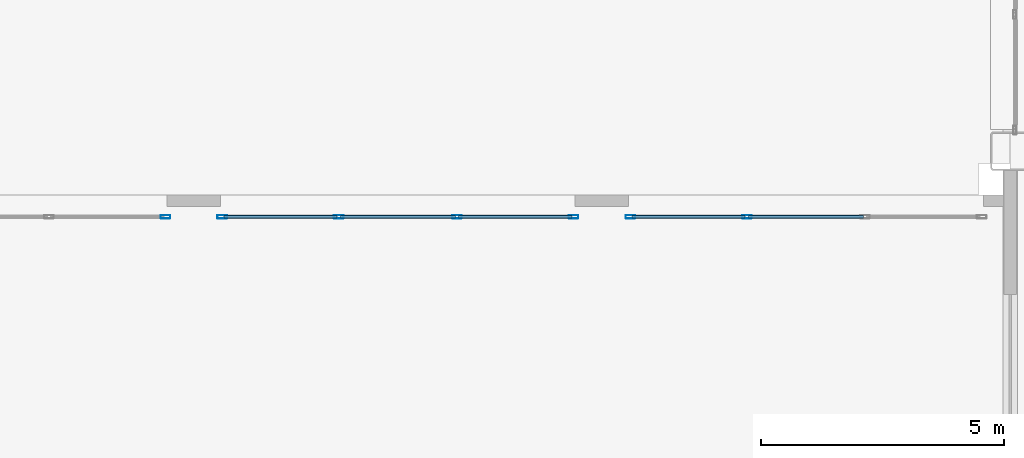
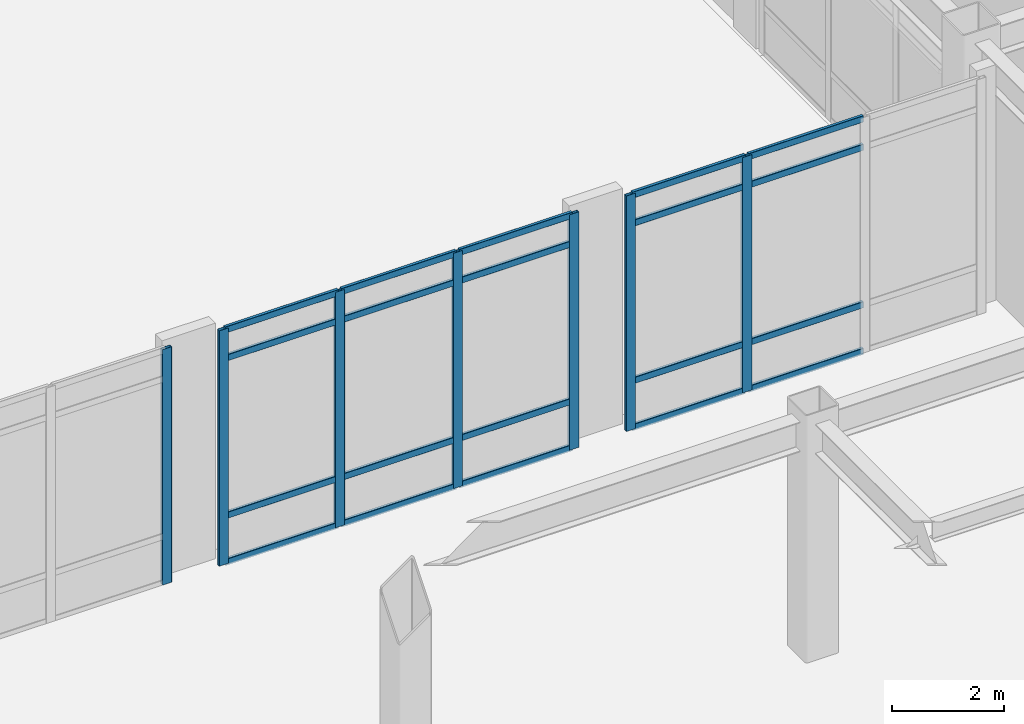
# One storey, part 93 of 165: 27 members, 3 elements without a shape of their own.
"""IFC4 building model written with IfcOpenShell, lengths in metres."""

from ifc_helpers import new_model, si_unit, direction, frame, origin, origin_2d, place, context, subcontext, project, spatial, hollow_rectangle, extrude, material, layer, layer_set, material_profile, profile_set, type_object, element, aggregate, save


model = new_model("IFC4")

# Units and contexts
model_context = context("Model", 3, precision=1e-05, world=origin(), true_north=direction((0.0, 1.0)))
body_context = subcontext(model_context, "Body", "Model", "MODEL_VIEW")
ifc_project = project(units=[si_unit("LENGTHUNIT", "METRE"), si_unit("AREAUNIT", "SQUARE_METRE"), si_unit("VOLUMEUNIT", "CUBIC_METRE"), si_unit("PLANEANGLEUNIT", "RADIAN"), si_unit("MASSUNIT", "GRAM", prefix="KILO")], contexts=[model_context])

# Site, building, storey
site_placement = place(None, origin())
site = spatial("IfcSite", under=ifc_project, at=site_placement, CompositionType="ELEMENT")
building_placement = place(site_placement, origin())
building = spatial("IfcBuilding", under=site, at=building_placement, Name="Kazehara Bluff Congress Hotel", CompositionType="ELEMENT")
storey_placement = place(building_placement, origin())
storey = spatial("IfcBuildingStorey", under=building, at=storey_placement, Name="L00", CompositionType="ELEMENT", Elevation=0.0)

# Curtain wall, member
ifc_material_1 = material(Name="Anodised aluminium", Category="aluminium")
ifc_layer = layer(ifc_material_1, 0.159912109375)
ifc_layer_set = layer_set([ifc_layer], Name="Anodised aluminium")
curtain_wall_type = type_object("IfcCurtainWallType", Name="TP-CW-46", PredefinedType="NOTDEFINED", material=ifc_layer_set)
curtain_wall_1_placement = place(storey_placement, origin())
curtain_wall_1 = element("IfcCurtainWall", 1, at=curtain_wall_1_placement, inside=storey, type_object=curtain_wall_type, Name="L00 curtain wall CW-46 CW-V5-L00-Y3955-11905", PredefinedType="NOTDEFINED")
ifc_material_2 = material(Name="Anodised aluminium", Category="aluminium")
ifc_material_profile_1 = material_profile(ifc_material_2, hollow_rectangle(XDim=0.070068359375, YDim=0.199951171875, WallThickness=0.0048828125, InnerFilletRadius=0.0048828125, OuterFilletRadius=0.010009765625, at=origin_2d()))
ifc_profile_set_1 = profile_set([ifc_material_profile_1], Name="Anodised aluminium")
member_type_1 = type_object("IfcMemberType", Name="TP-CWM-03", PredefinedType="MULLION", material=ifc_profile_set_1)
member_1_placement = place(storey_placement, frame((126.31494140625, 39.550048828125, 0.0), z_axis=(0.0, 0.0, 1.0), x_axis=(0.0, 1.0, 0.0)))
member_1 = element("IfcMember", 2, at=member_1_placement, type_object=member_type_1, Name="CW-46 mullion 4", PredefinedType="MULLION", context=body_context, shape_type="SweptSolid", body=[
    extrude(hollow_rectangle(XDim=0.070068359375, YDim=0.199951171875, WallThickness=0.0048828125, InnerFilletRadius=0.0048828125, OuterFilletRadius=0.010009765625, at=origin_2d()), origin(), (0.0, 0.0, 1.0), 5.135009765625),
])
aggregate(curtain_wall_1, [member_1])

# Curtain wall, members
curtain_wall_2_placement = place(storey_placement, origin())
curtain_wall_2 = element("IfcCurtainWall", 3, at=curtain_wall_2_placement, inside=storey, type_object=curtain_wall_type, Name="L00 curtain wall CW-46 CW-V5-L00-Y3955-12745", PredefinedType="NOTDEFINED")
member_2_placement = place(storey_placement, frame((127.485107421875, 39.550048828125, 0.0), z_axis=(0.0, 0.0, 1.0), x_axis=(0.0, 1.0, 0.0)))
member_2 = element("IfcMember", 4, at=member_2_placement, type_object=member_type_1, Name="CW-46 mullion 1", PredefinedType="MULLION", context=body_context, shape_type="SweptSolid", body=[
    extrude(hollow_rectangle(XDim=0.070068359375, YDim=0.199951171875, WallThickness=0.0048828125, InnerFilletRadius=0.0048828125, OuterFilletRadius=0.010009765625, at=origin_2d()), origin(), (0.0, 0.0, 1.0), 5.135009765625),
])
member_3_placement = place(storey_placement, frame((129.88330078125, 39.550048828125, 0.0), z_axis=(0.0, 0.0, 1.0), x_axis=(0.0, 1.0, 0.0)))
member_3 = element("IfcMember", 5, at=member_3_placement, type_object=member_type_1, Name="CW-46 mullion 2", PredefinedType="MULLION", context=body_context, shape_type="SweptSolid", body=[
    extrude(hollow_rectangle(XDim=0.070068359375, YDim=0.199951171875, WallThickness=0.0048828125, InnerFilletRadius=0.0048828125, OuterFilletRadius=0.010009765625, at=origin_2d()), origin(), (0.0, 0.0, 1.0), 5.135009765625),
])
member_4_placement = place(storey_placement, frame((132.316650390625, 39.550048828125, 0.0), z_axis=(0.0, 0.0, 1.0), x_axis=(0.0, 1.0, 0.0)))
member_4 = element("IfcMember", 6, at=member_4_placement, type_object=member_type_1, Name="CW-46 mullion 3", PredefinedType="MULLION", context=body_context, shape_type="SweptSolid", body=[
    extrude(hollow_rectangle(XDim=0.070068359375, YDim=0.199951171875, WallThickness=0.0048828125, InnerFilletRadius=0.0048828125, OuterFilletRadius=0.010009765625, at=origin_2d()), origin(), (0.0, 0.0, 1.0), 5.135009765625),
])
member_5_placement = place(storey_placement, frame((134.715087890625, 39.550048828125, 0.0), z_axis=(0.0, 0.0, 1.0), x_axis=(0.0, 1.0, 0.0)))
member_5 = element("IfcMember", 7, at=member_5_placement, type_object=member_type_1, Name="CW-46 mullion 4", PredefinedType="MULLION", context=body_context, shape_type="SweptSolid", body=[
    extrude(hollow_rectangle(XDim=0.070068359375, YDim=0.199951171875, WallThickness=0.0048828125, InnerFilletRadius=0.0048828125, OuterFilletRadius=0.010009765625, at=origin_2d()), origin(), (0.0, 0.0, 1.0), 5.135009765625),
])

curtain_wall_3_placement = place(storey_placement, origin())
curtain_wall_3 = element("IfcCurtainWall", 8, at=curtain_wall_3_placement, inside=storey, type_object=curtain_wall_type, Name="L00 curtain wall CW-46 CW-V5-L00-Y3955-13585", PredefinedType="NOTDEFINED")
member_6_placement = place(storey_placement, frame((135.885009765625, 39.550048828125, 0.0), z_axis=(0.0, 0.0, 1.0), x_axis=(0.0, 1.0, 0.0)))
member_6 = element("IfcMember", 9, at=member_6_placement, type_object=member_type_1, Name="CW-46 mullion 1", PredefinedType="MULLION", context=body_context, shape_type="SweptSolid", body=[
    extrude(hollow_rectangle(XDim=0.070068359375, YDim=0.199951171875, WallThickness=0.0048828125, InnerFilletRadius=0.0048828125, OuterFilletRadius=0.010009765625, at=origin_2d()), origin(), (0.0, 0.0, 1.0), 5.135009765625),
])
member_7_placement = place(storey_placement, frame((138.283447265625, 39.550048828125, 0.0), z_axis=(0.0, 0.0, 1.0), x_axis=(0.0, 1.0, 0.0)))
member_7 = element("IfcMember", 10, at=member_7_placement, type_object=member_type_1, Name="CW-46 mullion 2", PredefinedType="MULLION", context=body_context, shape_type="SweptSolid", body=[
    extrude(hollow_rectangle(XDim=0.070068359375, YDim=0.199951171875, WallThickness=0.0048828125, InnerFilletRadius=0.0048828125, OuterFilletRadius=0.010009765625, at=origin_2d()), origin(), (0.0, 0.0, 1.0), 5.135009765625),
])

# Member
ifc_material_3 = material(Name="Anodised aluminium", Category="aluminium")
ifc_material_profile_2 = material_profile(ifc_material_3, hollow_rectangle(XDim=0.06494140625, YDim=0.139892578125, WallThickness=0.00390625, InnerFilletRadius=0.00390625, OuterFilletRadius=0.008056640625, at=origin_2d()))
ifc_profile_set_2 = profile_set([ifc_material_profile_2], Name="Anodised aluminium")
member_type_2 = type_object("IfcMemberType", Name="TP-CWT-02", PredefinedType="USERDEFINED", material=ifc_profile_set_2)
member_8_placement = place(storey_placement, frame((127.52001953125, 39.550048828125, 0.032470703125), z_axis=(1.0, 0.0, 0.0), x_axis=(0.0, 1.0, 0.0)))
member_8 = element("IfcMember", 11, at=member_8_placement, type_object=member_type_2, Name="CW-46 transom 1.1", ObjectType="TRANSOM", PredefinedType="USERDEFINED", context=body_context, shape_type="SweptSolid", body=[
    extrude(hollow_rectangle(XDim=0.06494140625, YDim=0.139892578125, WallThickness=0.00390625, InnerFilletRadius=0.00390625, OuterFilletRadius=0.008056640625, at=origin_2d()), origin(), (0.0, 0.0, 1.0), 2.328369140625),
])

member_9_placement = place(storey_placement, frame((127.52001953125, 39.550048828125, 1.050048828125), z_axis=(1.0, 0.0, 0.0), x_axis=(0.0, 1.0, 0.0)))
member_9 = element("IfcMember", 12, at=member_9_placement, type_object=member_type_2, Name="CW-46 transom 1.2", ObjectType="TRANSOM", PredefinedType="USERDEFINED", context=body_context, shape_type="SweptSolid", body=[
    extrude(hollow_rectangle(XDim=0.06494140625, YDim=0.139892578125, WallThickness=0.00390625, InnerFilletRadius=0.00390625, OuterFilletRadius=0.008056640625, at=origin_2d()), origin(), (0.0, 0.0, 1.0), 2.328369140625),
])

member_10_placement = place(storey_placement, frame((127.52001953125, 39.550048828125, 4.485107421875), z_axis=(1.0, 0.0, 0.0), x_axis=(0.0, 1.0, 0.0)))
member_10 = element("IfcMember", 13, at=member_10_placement, type_object=member_type_2, Name="CW-46 transom 1.3", ObjectType="TRANSOM", PredefinedType="USERDEFINED", context=body_context, shape_type="SweptSolid", body=[
    extrude(hollow_rectangle(XDim=0.06494140625, YDim=0.139892578125, WallThickness=0.00390625, InnerFilletRadius=0.00390625, OuterFilletRadius=0.008056640625, at=origin_2d()), origin(), (0.0, 0.0, 1.0), 2.328369140625),
])

member_11_placement = place(storey_placement, frame((127.52001953125, 39.550048828125, 5.1025390625), z_axis=(1.0, 0.0, 0.0), x_axis=(0.0, 1.0, 0.0)))
member_11 = element("IfcMember", 14, at=member_11_placement, type_object=member_type_2, Name="CW-46 transom 1.4", ObjectType="TRANSOM", PredefinedType="USERDEFINED", context=body_context, shape_type="SweptSolid", body=[
    extrude(hollow_rectangle(XDim=0.06494140625, YDim=0.139892578125, WallThickness=0.00390625, InnerFilletRadius=0.00390625, OuterFilletRadius=0.008056640625, at=origin_2d()), origin(), (0.0, 0.0, 1.0), 2.328369140625),
])

member_12_placement = place(storey_placement, frame((129.918212890625, 39.550048828125, 0.032470703125), z_axis=(1.0, 0.0, 0.0), x_axis=(0.0, 1.0, 0.0)))
member_12 = element("IfcMember", 15, at=member_12_placement, type_object=member_type_2, Name="CW-46 transom 2.1", ObjectType="TRANSOM", PredefinedType="USERDEFINED", context=body_context, shape_type="SweptSolid", body=[
    extrude(hollow_rectangle(XDim=0.06494140625, YDim=0.139892578125, WallThickness=0.00390625, InnerFilletRadius=0.00390625, OuterFilletRadius=0.008056640625, at=origin_2d()), origin(), (0.0, 0.0, 1.0), 2.363525390625),
])

member_13_placement = place(storey_placement, frame((129.918212890625, 39.550048828125, 1.050048828125), z_axis=(1.0, 0.0, 0.0), x_axis=(0.0, 1.0, 0.0)))
member_13 = element("IfcMember", 16, at=member_13_placement, type_object=member_type_2, Name="CW-46 transom 2.2", ObjectType="TRANSOM", PredefinedType="USERDEFINED", context=body_context, shape_type="SweptSolid", body=[
    extrude(hollow_rectangle(XDim=0.06494140625, YDim=0.139892578125, WallThickness=0.00390625, InnerFilletRadius=0.00390625, OuterFilletRadius=0.008056640625, at=origin_2d()), origin(), (0.0, 0.0, 1.0), 2.363525390625),
])

member_14_placement = place(storey_placement, frame((129.918212890625, 39.550048828125, 4.485107421875), z_axis=(1.0, 0.0, 0.0), x_axis=(0.0, 1.0, 0.0)))
member_14 = element("IfcMember", 17, at=member_14_placement, type_object=member_type_2, Name="CW-46 transom 2.3", ObjectType="TRANSOM", PredefinedType="USERDEFINED", context=body_context, shape_type="SweptSolid", body=[
    extrude(hollow_rectangle(XDim=0.06494140625, YDim=0.139892578125, WallThickness=0.00390625, InnerFilletRadius=0.00390625, OuterFilletRadius=0.008056640625, at=origin_2d()), origin(), (0.0, 0.0, 1.0), 2.363525390625),
])

member_15_placement = place(storey_placement, frame((129.918212890625, 39.550048828125, 5.1025390625), z_axis=(1.0, 0.0, 0.0), x_axis=(0.0, 1.0, 0.0)))
member_15 = element("IfcMember", 18, at=member_15_placement, type_object=member_type_2, Name="CW-46 transom 2.4", ObjectType="TRANSOM", PredefinedType="USERDEFINED", context=body_context, shape_type="SweptSolid", body=[
    extrude(hollow_rectangle(XDim=0.06494140625, YDim=0.139892578125, WallThickness=0.00390625, InnerFilletRadius=0.00390625, OuterFilletRadius=0.008056640625, at=origin_2d()), origin(), (0.0, 0.0, 1.0), 2.363525390625),
])

member_16_placement = place(storey_placement, frame((132.3515625, 39.550048828125, 0.032470703125), z_axis=(1.0, 0.0, 0.0), x_axis=(0.0, 1.0, 0.0)))
member_16 = element("IfcMember", 19, at=member_16_placement, type_object=member_type_2, Name="CW-46 transom 3.1", ObjectType="TRANSOM", PredefinedType="USERDEFINED", context=body_context, shape_type="SweptSolid", body=[
    extrude(hollow_rectangle(XDim=0.06494140625, YDim=0.139892578125, WallThickness=0.00390625, InnerFilletRadius=0.00390625, OuterFilletRadius=0.008056640625, at=origin_2d()), origin(), (0.0, 0.0, 1.0), 2.328369140625),
])

member_17_placement = place(storey_placement, frame((132.3515625, 39.550048828125, 1.050048828125), z_axis=(1.0, 0.0, 0.0), x_axis=(0.0, 1.0, 0.0)))
member_17 = element("IfcMember", 20, at=member_17_placement, type_object=member_type_2, Name="CW-46 transom 3.2", ObjectType="TRANSOM", PredefinedType="USERDEFINED", context=body_context, shape_type="SweptSolid", body=[
    extrude(hollow_rectangle(XDim=0.06494140625, YDim=0.139892578125, WallThickness=0.00390625, InnerFilletRadius=0.00390625, OuterFilletRadius=0.008056640625, at=origin_2d()), origin(), (0.0, 0.0, 1.0), 2.328369140625),
])

member_18_placement = place(storey_placement, frame((132.3515625, 39.550048828125, 4.485107421875), z_axis=(1.0, 0.0, 0.0), x_axis=(0.0, 1.0, 0.0)))
member_18 = element("IfcMember", 21, at=member_18_placement, type_object=member_type_2, Name="CW-46 transom 3.3", ObjectType="TRANSOM", PredefinedType="USERDEFINED", context=body_context, shape_type="SweptSolid", body=[
    extrude(hollow_rectangle(XDim=0.06494140625, YDim=0.139892578125, WallThickness=0.00390625, InnerFilletRadius=0.00390625, OuterFilletRadius=0.008056640625, at=origin_2d()), origin(), (0.0, 0.0, 1.0), 2.328369140625),
])

member_19_placement = place(storey_placement, frame((132.3515625, 39.550048828125, 5.1025390625), z_axis=(1.0, 0.0, 0.0), x_axis=(0.0, 1.0, 0.0)))
member_19 = element("IfcMember", 22, at=member_19_placement, type_object=member_type_2, Name="CW-46 transom 3.4", ObjectType="TRANSOM", PredefinedType="USERDEFINED", context=body_context, shape_type="SweptSolid", body=[
    extrude(hollow_rectangle(XDim=0.06494140625, YDim=0.139892578125, WallThickness=0.00390625, InnerFilletRadius=0.00390625, OuterFilletRadius=0.008056640625, at=origin_2d()), origin(), (0.0, 0.0, 1.0), 2.328369140625),
])

aggregate(curtain_wall_2, [member_2, member_3, member_4, member_5, member_8, member_9, member_10, member_11, member_12, member_13, member_14, member_15, member_16, member_17, member_18, member_19])

member_20_placement = place(storey_placement, frame((135.919921875, 39.550048828125, 0.032470703125), z_axis=(1.0, 0.0, 0.0), x_axis=(0.0, 1.0, 0.0)))
member_20 = element("IfcMember", 23, at=member_20_placement, type_object=member_type_2, Name="CW-46 transom 1.1", ObjectType="TRANSOM", PredefinedType="USERDEFINED", context=body_context, shape_type="SweptSolid", body=[
    extrude(hollow_rectangle(XDim=0.06494140625, YDim=0.139892578125, WallThickness=0.00390625, InnerFilletRadius=0.00390625, OuterFilletRadius=0.008056640625, at=origin_2d()), origin(), (0.0, 0.0, 1.0), 2.328369140625),
])

member_21_placement = place(storey_placement, frame((135.919921875, 39.550048828125, 1.050048828125), z_axis=(1.0, 0.0, 0.0), x_axis=(0.0, 1.0, 0.0)))
member_21 = element("IfcMember", 24, at=member_21_placement, type_object=member_type_2, Name="CW-46 transom 1.2", ObjectType="TRANSOM", PredefinedType="USERDEFINED", context=body_context, shape_type="SweptSolid", body=[
    extrude(hollow_rectangle(XDim=0.06494140625, YDim=0.139892578125, WallThickness=0.00390625, InnerFilletRadius=0.00390625, OuterFilletRadius=0.008056640625, at=origin_2d()), origin(), (0.0, 0.0, 1.0), 2.328369140625),
])

member_22_placement = place(storey_placement, frame((135.919921875, 39.550048828125, 4.485107421875), z_axis=(1.0, 0.0, 0.0), x_axis=(0.0, 1.0, 0.0)))
member_22 = element("IfcMember", 25, at=member_22_placement, type_object=member_type_2, Name="CW-46 transom 1.3", ObjectType="TRANSOM", PredefinedType="USERDEFINED", context=body_context, shape_type="SweptSolid", body=[
    extrude(hollow_rectangle(XDim=0.06494140625, YDim=0.139892578125, WallThickness=0.00390625, InnerFilletRadius=0.00390625, OuterFilletRadius=0.008056640625, at=origin_2d()), origin(), (0.0, 0.0, 1.0), 2.328369140625),
])

member_23_placement = place(storey_placement, frame((135.919921875, 39.550048828125, 5.1025390625), z_axis=(1.0, 0.0, 0.0), x_axis=(0.0, 1.0, 0.0)))
member_23 = element("IfcMember", 26, at=member_23_placement, type_object=member_type_2, Name="CW-46 transom 1.4", ObjectType="TRANSOM", PredefinedType="USERDEFINED", context=body_context, shape_type="SweptSolid", body=[
    extrude(hollow_rectangle(XDim=0.06494140625, YDim=0.139892578125, WallThickness=0.00390625, InnerFilletRadius=0.00390625, OuterFilletRadius=0.008056640625, at=origin_2d()), origin(), (0.0, 0.0, 1.0), 2.328369140625),
])

member_24_placement = place(storey_placement, frame((138.318359375, 39.550048828125, 0.032470703125), z_axis=(1.0, 0.0, 0.0), x_axis=(0.0, 1.0, 0.0)))
member_24 = element("IfcMember", 27, at=member_24_placement, type_object=member_type_2, Name="CW-46 transom 2.1", ObjectType="TRANSOM", PredefinedType="USERDEFINED", context=body_context, shape_type="SweptSolid", body=[
    extrude(hollow_rectangle(XDim=0.06494140625, YDim=0.139892578125, WallThickness=0.00390625, InnerFilletRadius=0.00390625, OuterFilletRadius=0.008056640625, at=origin_2d()), origin(), (0.0, 0.0, 1.0), 2.36328125),
])

member_25_placement = place(storey_placement, frame((138.318359375, 39.550048828125, 1.050048828125), z_axis=(1.0, 0.0, 0.0), x_axis=(0.0, 1.0, 0.0)))
member_25 = element("IfcMember", 28, at=member_25_placement, type_object=member_type_2, Name="CW-46 transom 2.2", ObjectType="TRANSOM", PredefinedType="USERDEFINED", context=body_context, shape_type="SweptSolid", body=[
    extrude(hollow_rectangle(XDim=0.06494140625, YDim=0.139892578125, WallThickness=0.00390625, InnerFilletRadius=0.00390625, OuterFilletRadius=0.008056640625, at=origin_2d()), origin(), (0.0, 0.0, 1.0), 2.36328125),
])

member_26_placement = place(storey_placement, frame((138.318359375, 39.550048828125, 4.485107421875), z_axis=(1.0, 0.0, 0.0), x_axis=(0.0, 1.0, 0.0)))
member_26 = element("IfcMember", 29, at=member_26_placement, type_object=member_type_2, Name="CW-46 transom 2.3", ObjectType="TRANSOM", PredefinedType="USERDEFINED", context=body_context, shape_type="SweptSolid", body=[
    extrude(hollow_rectangle(XDim=0.06494140625, YDim=0.139892578125, WallThickness=0.00390625, InnerFilletRadius=0.00390625, OuterFilletRadius=0.008056640625, at=origin_2d()), origin(), (0.0, 0.0, 1.0), 2.36328125),
])

member_27_placement = place(storey_placement, frame((138.318359375, 39.550048828125, 5.1025390625), z_axis=(1.0, 0.0, 0.0), x_axis=(0.0, 1.0, 0.0)))
member_27 = element("IfcMember", 30, at=member_27_placement, type_object=member_type_2, Name="CW-46 transom 2.4", ObjectType="TRANSOM", PredefinedType="USERDEFINED", context=body_context, shape_type="SweptSolid", body=[
    extrude(hollow_rectangle(XDim=0.06494140625, YDim=0.139892578125, WallThickness=0.00390625, InnerFilletRadius=0.00390625, OuterFilletRadius=0.008056640625, at=origin_2d()), origin(), (0.0, 0.0, 1.0), 2.36328125),
])

aggregate(curtain_wall_3, [member_6, member_7, member_20, member_21, member_22, member_23, member_24, member_25, member_26, member_27])

save(model, "model.ifc")
